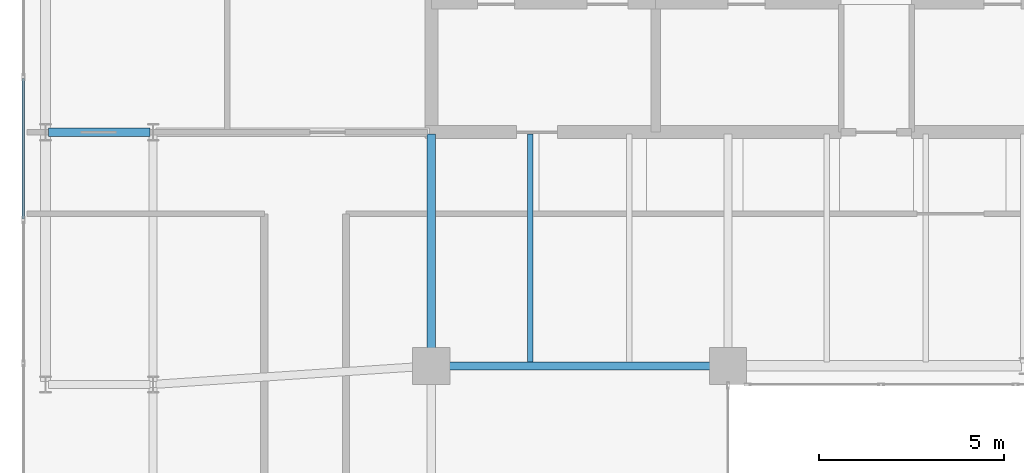
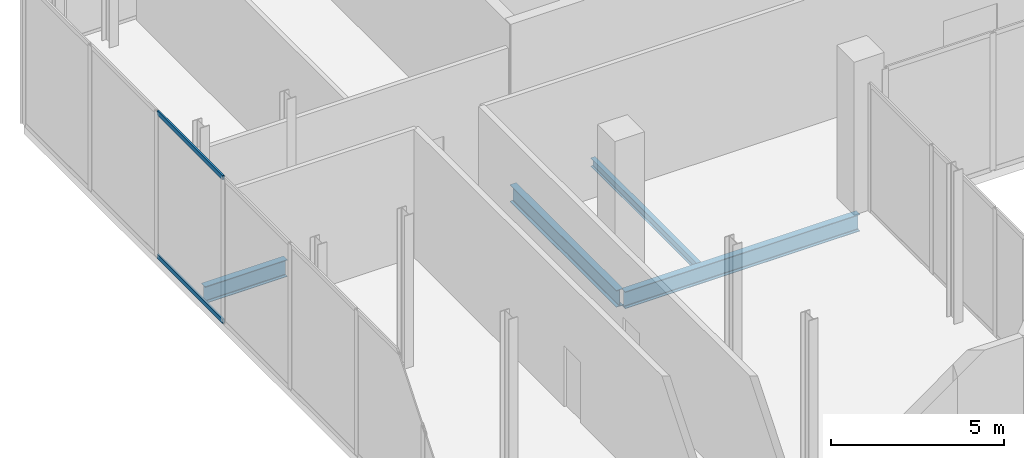
# One storey, part 7 of 17: 4 beams, 2 members, 1 element without a shape of its own.
"""IFC4 building model written with IfcOpenShell, lengths in metres."""

from ifc_helpers import new_model, si_unit, direction, frame, origin, origin_2d, place, context, subcontext, project, spatial, hollow_rectangle, i_section, extrude, material, layer, layer_set, material_profile, profile_set, type_object, element, aggregate, save


model = new_model("IFC4")

# Units and contexts
model_context = context("Model", 3, precision=1e-05, world=origin(), true_north=direction((0.0, 1.0)))
body_context = subcontext(model_context, "Body", "Model", "MODEL_VIEW")
ifc_project = project(units=[si_unit("LENGTHUNIT", "METRE"), si_unit("AREAUNIT", "SQUARE_METRE"), si_unit("VOLUMEUNIT", "CUBIC_METRE"), si_unit("PLANEANGLEUNIT", "RADIAN"), si_unit("MASSUNIT", "GRAM", prefix="KILO")], contexts=[model_context])

# Site, building, storey
site_placement = place(None, origin())
site = spatial("IfcSite", under=ifc_project, at=site_placement, CompositionType="ELEMENT")
building_placement = place(site_placement, origin())
building = spatial("IfcBuilding", under=site, at=building_placement, Name="Catumbela Crestline Tower", CompositionType="ELEMENT")
storey_placement = place(building_placement, frame((0.0, 0.0, 213.0)))
storey = spatial("IfcBuildingStorey", under=building, at=storey_placement, Name="L55", CompositionType="ELEMENT", Elevation=213.0)

# Beams
ifc_material_1 = material(Name="Structural steel S355J2", Category="steel")
ifc_material_profile_1 = material_profile(ifc_material_1, i_section(OverallWidth=0.22, OverallDepth=0.6, WebThickness=0.012, FlangeThickness=0.019, FilletRadius=0.024, at=origin_2d()), Name="IPE 600")
ifc_profile_set_1 = profile_set([ifc_material_profile_1], Name="Structural steel S355J2")
beam_type_1 = type_object("IfcBeamType", Name="BG-IPE600", PredefinedType="BEAM", material=ifc_profile_set_1)
beam_1_placement = place(storey_placement, frame((16.08, 24.5, -0.65), z_axis=(1.0, 0.0, 0.0), x_axis=(0.0, 1.0, 0.0)))
element("IfcBeam", 1, at=beam_1_placement, inside=storey, type_object=beam_type_1, Name="L55 Beam BM-L55-S03", PredefinedType="BEAM", context=body_context, shape_type="SweptSolid", body=[
    extrude(i_section(OverallWidth=0.22, OverallDepth=0.6, WebThickness=0.012, FlangeThickness=0.019, FilletRadius=0.024, at=origin_2d()), origin(), (0.0, 0.0, 1.0), 7.84),
])
beam_2_placement = place(storey_placement, frame((5.68, 30.8, -0.65), z_axis=(1.0, 0.0, 0.0), x_axis=(0.0, 1.0, 0.0)))
element("IfcBeam", 2, at=beam_2_placement, inside=storey, type_object=beam_type_1, Name="L55 Beam BM-L55-M06", PredefinedType="BEAM", context=body_context, shape_type="SweptSolid", body=[
    extrude(i_section(OverallWidth=0.22, OverallDepth=0.6, WebThickness=0.012, FlangeThickness=0.019, FilletRadius=0.024, at=origin_2d()), origin(), (0.0, 0.0, 1.0), 2.74),
])
beam_3_placement = place(storey_placement, frame((16.0, 24.58, -0.65), z_axis=(0.0, 1.0, 0.0), x_axis=(-1.0, 0.0, 0.0)))
element("IfcBeam", 3, at=beam_3_placement, inside=storey, type_object=beam_type_1, Name="L55 Beam BM-L55-SNS15", PredefinedType="BEAM", context=body_context, shape_type="SweptSolid", body=[
    extrude(i_section(OverallWidth=0.22, OverallDepth=0.6, WebThickness=0.012, FlangeThickness=0.019, FilletRadius=0.024, at=origin_2d()), origin(), (0.0, 0.0, 1.0), 6.17),
])
ifc_material_profile_2 = material_profile(ifc_material_1, i_section(OverallWidth=0.15, OverallDepth=0.3, WebThickness=0.0071, FlangeThickness=0.0107, FilletRadius=0.015, at=origin_2d()), Name="IPE 300")
ifc_profile_set_2 = profile_set([ifc_material_profile_2], Name="Structural steel S355J2")
beam_type_2 = type_object("IfcBeamType", Name="BJ-IPE300", PredefinedType="JOIST", material=ifc_profile_set_2)
beam_4_placement = place(storey_placement, frame((18.667, 24.61, -0.5), z_axis=(0.0, 1.0, 0.0), x_axis=(-1.0, 0.0, 0.0)))
element("IfcBeam", 4, at=beam_4_placement, inside=storey, type_object=beam_type_2, Name="L55 Joist JS-L55-SP21", PredefinedType="JOIST", context=body_context, shape_type="SweptSolid", body=[
    extrude(i_section(OverallWidth=0.15, OverallDepth=0.3, WebThickness=0.0071, FlangeThickness=0.0107, FilletRadius=0.015, at=origin_2d()), origin(), (0.0, 0.0, 1.0), 6.14),
])

# Curtain wall, members
ifc_material_2 = material(Name="Aluminium alloy AW-6060-T66", Category="aluminium")
ifc_layer = layer(ifc_material_2, 0.18, Name="Aluminium alloy AW-6060-T66")
ifc_layer_set = layer_set([ifc_layer], Name="Aluminium alloy AW-6060-T66")
curtain_wall_type = type_object("IfcCurtainWallType", Name="CWU-SKY", PredefinedType="USERDEFINED", material=ifc_layer_set)
curtain_wall_placement = place(storey_placement, origin())
curtain_wall = element("IfcCurtainWall", 5, at=curtain_wall_placement, inside=storey, type_object=curtain_wall_type, Name="L55 Unitised Curtain Wall CW-L55-E9S1", ObjectType="UNITISED", PredefinedType="USERDEFINED")
ifc_material_profile_3 = material_profile(ifc_material_2, hollow_rectangle(XDim=0.06, YDim=0.16, WallThickness=0.004, at=origin_2d()), Name="ALU 160x60x4")
ifc_profile_set_3 = profile_set([ifc_material_profile_3], Name="Aluminium alloy AW-6060-T66")
member_type = type_object("IfcMemberType", Name="TRN-160X60", PredefinedType="USERDEFINED", material=ifc_profile_set_3)
member_1_placement = place(storey_placement, frame((5.0, 32.2532, 0.03), z_axis=(0.0, -1.0, 0.0), x_axis=(1.0, 0.0, 0.0)))
member_1 = element("IfcMember", 6, at=member_1_placement, type_object=member_type, Name="CWU-SKY transom 3.1", ObjectType="TRANSOM", PredefinedType="USERDEFINED", context=body_context, shape_type="SweptSolid", body=[
    extrude(hollow_rectangle(XDim=0.06, YDim=0.16, WallThickness=0.004, at=origin_2d()), origin(), (0.0, 0.0, 1.0), 3.7921),
])
member_2_placement = place(storey_placement, frame((5.0, 32.2532, 5.1), z_axis=(0.0, -1.0, 0.0), x_axis=(1.0, 0.0, 0.0)))
member_2 = element("IfcMember", 7, at=member_2_placement, type_object=member_type, Name="CWU-SKY transom 3.2", ObjectType="TRANSOM", PredefinedType="USERDEFINED", context=body_context, shape_type="SweptSolid", body=[
    extrude(hollow_rectangle(XDim=0.06, YDim=0.16, WallThickness=0.004, at=origin_2d()), origin(), (0.0, 0.0, 1.0), 3.7921),
])
aggregate(curtain_wall, [member_1, member_2])

save(model, "model.ifc")
